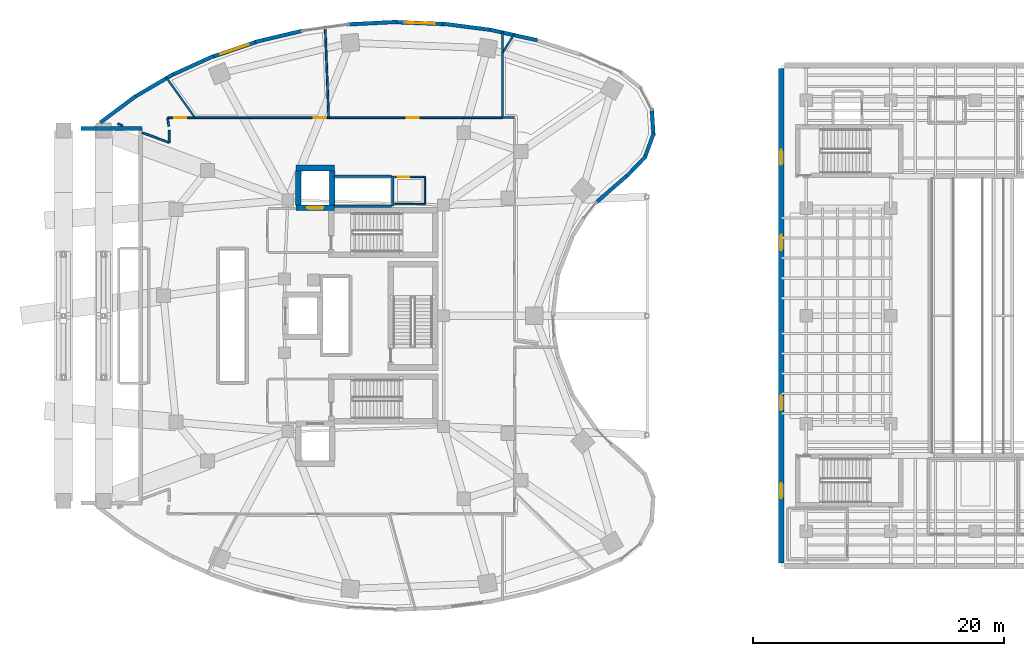
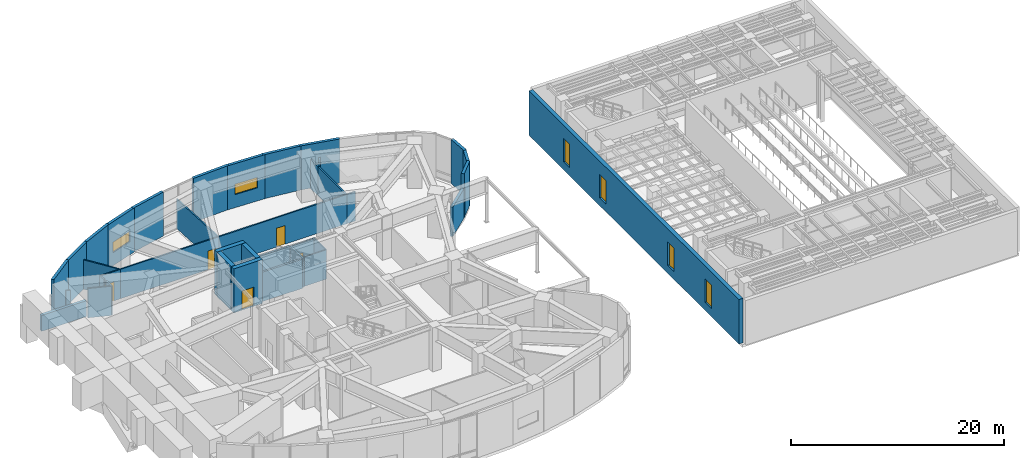
# One storey, part 17 of 23: 38 walls, 6 windows, 5 doors, 11 openings.
"""IFC4 building model written with IfcOpenShell, lengths in metres."""

from ifc_helpers import new_model, si_unit, direction, frame, frame_2d, origin, place, context, subcontext, project, spatial, rectangle, extrude, material, layer, layer_set, type_object, element, fill, save


model = new_model("IFC4")

# Units and contexts
model_context = context("Model", 3, precision=1e-05, world=origin(), true_north=direction((0.0, 1.0)))
body_context = subcontext(model_context, "Body", "Model", "MODEL_VIEW")
ifc_project = project(units=[si_unit("LENGTHUNIT", "METRE"), si_unit("AREAUNIT", "SQUARE_METRE"), si_unit("VOLUMEUNIT", "CUBIC_METRE"), si_unit("PLANEANGLEUNIT", "RADIAN"), si_unit("MASSUNIT", "GRAM", prefix="KILO")], contexts=[model_context])

# Site, building, storey
site_placement = place(None, origin())
site = spatial("IfcSite", under=ifc_project, at=site_placement, CompositionType="ELEMENT")
building_placement = place(site_placement, origin())
building = spatial("IfcBuilding", under=site, at=building_placement, Name="Korentha Bioscience Tower", CompositionType="ELEMENT")
storey_placement = place(building_placement, frame((0.0, 0.0, 15.0)))
storey = spatial("IfcBuildingStorey", under=building, at=storey_placement, Name="L03", CompositionType="ELEMENT", Elevation=15.0)

# Wall, opening, door
ifc_material_1 = material(Name="Double-Stud Acoustic Gypsum", Category="gypsum")
ifc_layer_1 = layer(ifc_material_1, 0.14990234375, Name="Double-Stud Acoustic Gypsum")
ifc_layer_set_1 = layer_set([ifc_layer_1], Name="Double-Stud Acoustic Gypsum (IW-L150)")
wall_type_1 = type_object("IfcWallType", Name="Acoustic Laboratory Partition Wall 150", PredefinedType="PARTITIONING", material=ifc_layer_set_1)
wall_1_placement = place(storey_placement, frame((42.241943359375, 42.81005859375, 0.0), z_axis=(0.0, 0.0, 1.0), x_axis=(-1.0, 0.0, 0.0)))
wall_1 = element("IfcWall", 1, at=wall_1_placement, inside=storey, type_object=wall_type_1, Name="L03 Translational Symposium Lecture Room 07 Entrance Wall", PredefinedType="PARTITIONING", context=body_context, shape_type="SweptSolid", body=[
    extrude(rectangle(XDim=13.873779296875, YDim=0.14990234375, at=frame_2d((6.93701171875, 0.0))), origin(), (0.0, 0.0, 1.0), 3.360107421875),
])
opening_1_placement = place(wall_1_placement, frame((6.6875, 0.0, 0.0)))
opening_1 = element("IfcOpeningElement", 2, at=opening_1_placement, cuts=wall_1, Name="Opening ID-10L", PredefinedType="OPENING", context=body_context, shape_type="SweptSolid", body=[
    extrude(rectangle(XDim=0.949951171875, YDim=2.14990234375, at=frame_2d((0.47509765625, 1.074951171875))), frame((0.0, 0.08984375, 0.0), z_axis=(0.0, -1.0, 0.0), x_axis=(1.0, 0.0, 0.0)), (0.0, 0.0, 1.0), 0.1796875),
])
ifc_material_2 = material(Name="Phenolic Laminate Timber Core", Category="wood")
door_type_1 = type_object("IfcDoorType", Name="Laboratory Single Leaf Door 950x2150 Left", OperationType="SINGLE_SWING_LEFT", PredefinedType="DOOR", material=ifc_material_2)
door_1_placement = place(opening_1_placement, origin())
door_1 = element("IfcDoor", 3, at=door_1_placement, inside=storey, type_object=door_type_1, Name="L03 Translational Symposium Lecture Room 07 Door", OperationType="SINGLE_SWING_LEFT", OverallHeight=2.14990234375, OverallWidth=0.949951171875, PredefinedType="DOOR", context=body_context, shape_type="SweptSolid", body=[
    extrude(rectangle(XDim=0.949951171875, YDim=2.14990234375, at=frame_2d((0.47509765625, 1.074951171875))), frame((0.0, 0.02490234375, 0.0), z_axis=(0.0, -1.0, 0.0), x_axis=(1.0, 0.0, 0.0)), (0.0, 0.0, 1.0), 0.050048828125),
])
fill(opening_1, door_1)

wall_2_placement = place(storey_placement, frame((28.358154296875, 42.81005859375, 0.0), z_axis=(0.0, 0.0, 1.0), x_axis=(-1.0, 0.0, 0.0)))
wall_2 = element("IfcWall", 4, at=wall_2_placement, inside=storey, type_object=wall_type_1, Name="L03 Academic Poster Exhibition Lounge 08 Entrance Wall", PredefinedType="PARTITIONING", context=body_context, shape_type="SweptSolid", body=[
    extrude(rectangle(XDim=10.6591796875, YDim=0.14990234375, at=frame_2d((5.32958984375, 0.0))), origin(), (0.0, 0.0, 1.0), 3.360107421875),
])
opening_2_placement = place(wall_2_placement, frame((0.239990234375, 0.0, 0.0)))
opening_2 = element("IfcOpeningElement", 5, at=opening_2_placement, cuts=wall_2, Name="Opening ID-10R", PredefinedType="OPENING", context=body_context, shape_type="SweptSolid", body=[
    extrude(rectangle(XDim=0.949951171875, YDim=2.14990234375, at=frame_2d((0.47509765625, 1.074951171875))), frame((0.0, 0.08984375, 0.0), z_axis=(0.0, -1.0, 0.0), x_axis=(1.0, 0.0, 0.0)), (0.0, 0.0, 1.0), 0.1796875),
])
door_type_2 = type_object("IfcDoorType", Name="Laboratory Single Leaf Door 950x2150 Right", OperationType="SINGLE_SWING_RIGHT", PredefinedType="DOOR", material=ifc_material_2)
door_2_placement = place(opening_2_placement, origin())
door_2 = element("IfcDoor", 6, at=door_2_placement, inside=storey, type_object=door_type_2, Name="L03 Academic Poster Exhibition Lounge 08 Door", OperationType="SINGLE_SWING_RIGHT", OverallHeight=2.14990234375, OverallWidth=0.949951171875, PredefinedType="DOOR", context=body_context, shape_type="SweptSolid", body=[
    extrude(rectangle(XDim=0.949951171875, YDim=2.14990234375, at=frame_2d((0.47509765625, 1.074951171875))), frame((0.0, 0.02490234375, 0.0), z_axis=(0.0, -1.0, 0.0), x_axis=(1.0, 0.0, 0.0)), (0.0, 0.0, 1.0), 0.050048828125),
])
fill(opening_2, door_2)

wall_3_placement = place(storey_placement, frame((17.6865234375, 42.81005859375, 0.0), z_axis=(0.0, 0.0, 1.0), x_axis=(-1.0, 0.0, 0.0)))
wall_3 = element("IfcWall", 7, at=wall_3_placement, inside=storey, type_object=wall_type_1, Name="L03 Industry Incubator Co-Working Studio 09 Entrance Wall", PredefinedType="PARTITIONING", context=body_context, shape_type="SweptSolid", body=[
    extrude(rectangle(XDim=2.16845703125, YDim=0.14990234375, at=frame_2d((1.084228515625, 0.0))), origin(), (0.0, 0.0, 1.0), 3.360107421875),
])
opening_3_placement = place(wall_3_placement, frame((0.681396484375, 0.0, 0.0)))
opening_3 = element("IfcOpeningElement", 8, at=opening_3_placement, cuts=wall_3, Name="Opening ID-10L", PredefinedType="OPENING", context=body_context, shape_type="SweptSolid", body=[
    extrude(rectangle(XDim=0.949951171875, YDim=2.14990234375, at=frame_2d((0.47509765625, 1.074951171875))), frame((0.0, 0.08984375, 0.0), z_axis=(0.0, -1.0, 0.0), x_axis=(1.0, 0.0, 0.0)), (0.0, 0.0, 1.0), 0.1796875),
])
door_3_placement = place(opening_3_placement, origin())
door_3 = element("IfcDoor", 9, at=door_3_placement, inside=storey, type_object=door_type_1, Name="L03 Industry Incubator Co-Working Studio 09 Door", OperationType="SINGLE_SWING_LEFT", OverallHeight=2.14990234375, OverallWidth=0.949951171875, PredefinedType="DOOR", context=body_context, shape_type="SweptSolid", body=[
    extrude(rectangle(XDim=0.949951171875, YDim=2.14990234375, at=frame_2d((0.47509765625, 1.074951171875))), frame((0.0, 0.02490234375, 0.0), z_axis=(0.0, -1.0, 0.0), x_axis=(1.0, 0.0, 0.0)), (0.0, 0.0, 1.0), 0.050048828125),
])
fill(opening_3, door_3)

# Walls
wall_4_placement = place(storey_placement, frame((42.248046875, 49.732177734375, 0.0), z_axis=(0.0, 0.0, 1.0), x_axis=(0.0, -1.0, 0.0)))
element("IfcWall", 10, at=wall_4_placement, inside=storey, type_object=wall_type_1, Name="L03 Interior Partition 032", PredefinedType="PARTITIONING", context=body_context, shape_type="SweptSolid", body=[
    extrude(rectangle(XDim=1.71923828125, YDim=0.14990234375, at=frame_2d((0.859619140625, 0.0))), origin(), (0.0, 0.0, 1.0), 3.360107421875),
])
wall_5_placement = place(storey_placement, frame((28.3681640625, 42.81005859375, 0.0), z_axis=(0.0, 0.0, 1.0), x_axis=(-0.038361380726, 0.999263931336, 0.0)))
element("IfcWall", 11, at=wall_5_placement, inside=storey, type_object=wall_type_1, Name="L03 Interior Partition 033", PredefinedType="PARTITIONING", context=body_context, shape_type="SweptSolid", body=[
    extrude(rectangle(XDim=7.31884765625, YDim=0.14990234375, at=frame_2d((3.659423828125, 0.0))), origin(), (0.0, 0.0, 1.0), 3.360107421875),
])
wall_6_placement = place(storey_placement, frame((17.698974609375, 42.81005859375, 0.0), z_axis=(0.0, 0.0, 1.0), x_axis=(-0.58074861972, 0.814082944603, 0.0)))
element("IfcWall", 12, at=wall_6_placement, inside=storey, type_object=wall_type_1, Name="L03 Interior Partition 034", PredefinedType="PARTITIONING", context=body_context, shape_type="SweptSolid", body=[
    extrude(rectangle(XDim=4.010498046875, YDim=0.14990234375, at=frame_2d((2.00537109375, 0.0))), origin(), (0.0, 0.0, 1.0), 3.360107421875),
])
wall_7_placement = place(storey_placement, frame((11.921875, 42.18994140625, 0.0), z_axis=(0.0, 0.0, 1.0), x_axis=(-0.939021389009, 0.343858736961, 0.0)))
element("IfcWall", 13, at=wall_7_placement, inside=storey, type_object=wall_type_1, Name="L03 Interior Partition 035", PredefinedType="PARTITIONING", context=body_context, shape_type="SweptSolid", body=[
    extrude(rectangle(XDim=0.416748046875, YDim=0.14990234375, at=frame_2d((0.20849609375, 0.0))), origin(), (0.0, 0.0, 1.0), 3.360107421875),
])
wall_8_placement = place(storey_placement, frame((15.508056640625, 42.798583984375, 0.0), z_axis=(0.0, 0.0, 1.0), x_axis=(0.146882189547, -0.989153993266, 0.0)))
element("IfcWall", 14, at=wall_8_placement, inside=storey, type_object=wall_type_1, Name="L03 Interior Partition 036", PredefinedType="PARTITIONING", context=body_context, shape_type="SweptSolid", body=[
    extrude(rectangle(XDim=0.6630859375, YDim=0.14990234375, at=frame_2d((0.33154296875, 0.0))), origin(), (0.0, 0.0, 1.0), 3.360107421875),
])
wall_9_placement = place(storey_placement, frame((15.6298828125, 41.7998046875, 0.0), z_axis=(0.0, 0.0, 1.0), x_axis=(0.0, -1.0, 0.0)))
element("IfcWall", 15, at=wall_9_placement, inside=storey, type_object=wall_type_1, Name="L03 Interior Partition 037", PredefinedType="PARTITIONING", context=body_context, shape_type="SweptSolid", body=[
    extrude(rectangle(XDim=0.966552734375, YDim=0.14990234375, at=frame_2d((0.4833984375, 0.0))), origin(), (0.0, 0.0, 1.0), 3.360107421875),
])
wall_10_placement = place(storey_placement, frame((15.6298828125, 40.833251953125, 0.0), z_axis=(0.0, 0.0, 1.0), x_axis=(-0.93911273323, 0.343609188302, 0.0)))
element("IfcWall", 16, at=wall_10_placement, inside=storey, type_object=wall_type_1, Name="L03 Interior Partition 038", PredefinedType="PARTITIONING", context=body_context, shape_type="SweptSolid", body=[
    extrude(rectangle(XDim=2.278564453125, YDim=0.14990234375, at=frame_2d((1.13916015625, 0.0))), origin(), (0.0, 0.0, 1.0), 3.360107421875),
])
ifc_material_3 = material(Name="Gypsum-Clad Steel Stud", Category="steel")
ifc_layer_2 = layer(ifc_material_3, 0.159912109375, Name="Gypsum-Clad Steel Stud")
ifc_layer_set_2 = layer_set([ifc_layer_2], Name="Gypsum-Clad Steel Stud (IW-C160)")
wall_type_2 = type_object("IfcWallType", Name="Fire-Rated Corridor Partition Wall 160", PredefinedType="PARTITIONING", material=ifc_layer_set_2)
wall_11_placement = place(storey_placement, frame((42.252197265625, 48.000732421875, 0.0), z_axis=(0.0, 0.0, 1.0), x_axis=(0.534286529928, 0.845303438972, 0.0)))
element("IfcWall", 17, at=wall_11_placement, inside=storey, type_object=wall_type_2, Name="L03 Interior Partition 028", PredefinedType="PARTITIONING", context=body_context, shape_type="SweptSolid", body=[
    extrude(rectangle(XDim=1.783447265625, YDim=0.159912109375, at=frame_2d((0.8916015625, 0.0))), origin(), (0.0, 0.0, 1.0), 3.360107421875),
])
wall_12_placement = place(storey_placement, frame((43.199951171875, 42.81005859375, 0.0), z_axis=(0.0, 0.0, 1.0), x_axis=(-1.0, 0.0, 0.0)))
element("IfcWall", 18, at=wall_12_placement, inside=storey, type_object=wall_type_2, Name="L03 Interior Partition 030", PredefinedType="PARTITIONING", context=body_context, shape_type="SweptSolid", body=[
    extrude(rectangle(XDim=0.947998046875, YDim=0.159912109375, at=frame_2d((0.47412109375, 0.0))), origin(), (0.0, 0.0, 1.0), 3.360107421875),
])
wall_13_placement = place(storey_placement, frame((42.251953125, 42.81005859375, 0.0), z_axis=(0.0, 0.0, 1.0), x_axis=(0.0, 1.0, 0.0)))
element("IfcWall", 19, at=wall_13_placement, inside=storey, type_object=wall_type_2, Name="L03 Interior Partition 031", PredefinedType="PARTITIONING", context=body_context, shape_type="SweptSolid", body=[
    extrude(rectangle(XDim=5.1904296875, YDim=0.159912109375, at=frame_2d((2.59521484375, 0.0))), origin(), (0.0, 0.0, 1.0), 3.360107421875),
])

# Wall, opening, window
ifc_material_4 = material(Name="Honed Limestone Precast Concrete C40", Category="masonry")
ifc_layer_3 = layer(ifc_material_4, 0.300048828125, Name="Honed Limestone Precast Concrete C40")
ifc_layer_set_3 = layer_set([ifc_layer_3], Name="Honed Limestone Precast Concrete C40 (EW-ST300)")
wall_type_3 = type_object("IfcWallType", Name="Honed Limestone Cavity Spandrel Wall 300", PredefinedType="STANDARD", material=ifc_layer_set_3)
wall_14_placement = place(storey_placement, frame((37.623046875, 50.288818359375, 0.0), z_axis=(0.0, 0.0, 1.0), x_axis=(-0.999247008469, 0.038799691558, 0.0)))
wall_14 = element("IfcWall", 20, at=wall_14_placement, inside=storey, type_object=wall_type_3, Name="L03 Honed Limestone Spandrel Wall 05", PredefinedType="STANDARD", context=body_context, shape_type="SweptSolid", body=[
    extrude(rectangle(XDim=3.93896484375, YDim=0.300048828125, at=frame_2d((1.969482421875, 0.0))), origin(), (0.0, 0.0, 1.0), 5.050048828125),
])
opening_4_placement = place(wall_14_placement, frame((0.769287109375, 0.0, 1.5)))
opening_4 = element("IfcOpeningElement", 21, at=opening_4_placement, cuts=wall_14, Name="Opening WN-04", PredefinedType="OPENING", context=body_context, shape_type="SweptSolid", body=[
    extrude(rectangle(XDim=2.39990234375, YDim=1.199951171875, at=frame_2d((1.199951171875, 0.60009765625))), frame((0.0, 0.1650390625, 0.0), z_axis=(0.0, -1.0, 0.0), x_axis=(1.0, 0.0, 0.0)), (0.0, 0.0, 1.0), 0.329833984375),
])
ifc_material_5 = material(Name="Thermally Broken Aluminium Triple Glazing", Category="aluminium")
window_type_1 = type_object("IfcWindowType", Name="Podium Clerestory Ribbon Window 2400x1200", PartitioningType="DOUBLE_PANEL_HORIZONTAL", PredefinedType="WINDOW", material=ifc_material_5)
window_1_placement = place(opening_4_placement, origin())
window_1 = element("IfcWindow", 22, at=window_1_placement, inside=storey, type_object=window_type_1, Name="L03 Facade Window 05", OverallHeight=1.199951171875, OverallWidth=2.39990234375, PartitioningType="DOUBLE_PANEL_HORIZONTAL", PredefinedType="WINDOW", context=body_context, shape_type="SweptSolid", body=[
    extrude(rectangle(XDim=2.39990234375, YDim=1.199951171875, at=frame_2d((1.199951171875, 0.60009765625))), frame((0.0, 0.030029296875, 0.0), z_axis=(0.0, -1.0, 0.0), x_axis=(1.0, 0.0, 0.0)), (0.0, 0.0, 1.0), 0.06005859375),
])
fill(opening_4, window_1)

wall_15_placement = place(storey_placement, frame((22.654541015625, 48.8837890625, 0.0), z_axis=(0.0, 0.0, 1.0), x_axis=(-0.947034337234, -0.321132315564, 0.0)))
wall_15 = element("IfcWall", 23, at=wall_15_placement, inside=storey, type_object=wall_type_3, Name="L03 Honed Limestone Spandrel Wall 09", PredefinedType="STANDARD", context=body_context, shape_type="SweptSolid", body=[
    extrude(rectangle(XDim=3.789794921875, YDim=0.300048828125, at=frame_2d((1.89501953125, 0.0))), origin(), (0.0, 0.0, 1.0), 5.050048828125),
])
opening_5_placement = place(wall_15_placement, frame((0.69482421875, 0.0, 1.5)))
opening_5 = element("IfcOpeningElement", 24, at=opening_5_placement, cuts=wall_15, Name="Opening WN-04", PredefinedType="OPENING", context=body_context, shape_type="SweptSolid", body=[
    extrude(rectangle(XDim=2.39990234375, YDim=1.199951171875, at=frame_2d((1.199951171875, 0.60009765625))), frame((0.0, 0.1650390625, 0.0), z_axis=(0.0, -1.0, 0.0), x_axis=(1.0, 0.0, 0.0)), (0.0, 0.0, 1.0), 0.329833984375),
])
window_2_placement = place(opening_5_placement, origin())
window_2 = element("IfcWindow", 25, at=window_2_placement, inside=storey, type_object=window_type_1, Name="L03 Facade Window 09", OverallHeight=1.199951171875, OverallWidth=2.39990234375, PartitioningType="DOUBLE_PANEL_HORIZONTAL", PredefinedType="WINDOW", context=body_context, shape_type="SweptSolid", body=[
    extrude(rectangle(XDim=2.39990234375, YDim=1.199951171875, at=frame_2d((1.199951171875, 0.60009765625))), frame((0.0, 0.030029296875, 0.0), z_axis=(0.0, -1.0, 0.0), x_axis=(1.0, 0.0, 0.0)), (0.0, 0.0, 1.0), 0.06005859375),
])
fill(opening_5, window_2)

# Walls
wall_16_placement = place(storey_placement, frame((45.03955078125, 48.9912109375, 0.0), z_axis=(0.0, 0.0, 1.0), x_axis=(-0.975868573345, 0.218358713032, 0.0)))
element("IfcWall", 26, at=wall_16_placement, inside=storey, type_object=wall_type_3, Name="L03 Limestone Perimeter Closure Wall 03", PredefinedType="STANDARD", context=body_context, shape_type="SweptSolid", body=[
    extrude(rectangle(XDim=3.90869140625, YDim=0.300048828125, at=frame_2d((1.954345703125, 0.0))), origin(), (0.0, 0.0, 1.0), 5.050048828125),
])
wall_17_placement = place(storey_placement, frame((41.39501953125, 49.814697265625, 0.0), z_axis=(0.0, 0.0, 1.0), x_axis=(-0.991734095036, 0.128310111617, 0.0)))
element("IfcWall", 27, at=wall_17_placement, inside=storey, type_object=wall_type_3, Name="L03 Limestone Perimeter Closure Wall 04", PredefinedType="STANDARD", context=body_context, shape_type="SweptSolid", body=[
    extrude(rectangle(XDim=3.955810546875, YDim=0.300048828125, at=frame_2d((1.97802734375, 0.0))), origin(), (0.0, 0.0, 1.0), 5.050048828125),
])
wall_18_placement = place(storey_placement, frame((33.84033203125, 50.46337890625, 0.0), z_axis=(0.0, 0.0, 1.0), x_axis=(-0.998732359232, -0.050335619826, 0.0)))
element("IfcWall", 28, at=wall_18_placement, inside=storey, type_object=wall_type_3, Name="L03 Limestone Perimeter Closure Wall 06", PredefinedType="STANDARD", context=body_context, shape_type="SweptSolid", body=[
    extrude(rectangle(XDim=3.977294921875, YDim=0.300048828125, at=frame_2d((1.98876953125, 0.0))), origin(), (0.0, 0.0, 1.0), 5.050048828125),
])
wall_19_placement = place(storey_placement, frame((26.29736328125, 49.7587890625, 0.0), z_axis=(0.0, 0.0, 1.0), x_axis=(-0.973197600754, -0.229970497863, 0.0)))
element("IfcWall", 29, at=wall_19_placement, inside=storey, type_object=wall_type_3, Name="L03 Limestone Perimeter Closure Wall 08", PredefinedType="STANDARD", context=body_context, shape_type="SweptSolid", body=[
    extrude(rectangle(XDim=3.9013671875, YDim=0.300048828125, at=frame_2d((1.95068359375, 0.0))), origin(), (0.0, 0.0, 1.0), 5.050048828125),
])
wall_20_placement = place(storey_placement, frame((19.201416015625, 47.7431640625, 0.0), z_axis=(0.0, 0.0, 1.0), x_axis=(-0.910623406862, -0.413237233166, 0.0)))
element("IfcWall", 30, at=wall_20_placement, inside=storey, type_object=wall_type_3, Name="L03 Limestone Perimeter Closure Wall 10", PredefinedType="STANDARD", context=body_context, shape_type="SweptSolid", body=[
    extrude(rectangle(XDim=3.73974609375, YDim=0.300048828125, at=frame_2d((1.869873046875, 0.0))), origin(), (0.0, 0.0, 1.0), 5.050048828125),
])
wall_21_placement = place(storey_placement, frame((15.95068359375, 46.27783203125, 0.0), z_axis=(0.0, 0.0, 1.0), x_axis=(-0.8624654944, -0.506115867139, 0.0)))
element("IfcWall", 31, at=wall_21_placement, inside=storey, type_object=wall_type_3, Name="L03 Limestone Perimeter Closure Wall 11", PredefinedType="STANDARD", context=body_context, shape_type="SweptSolid", body=[
    extrude(rectangle(XDim=3.63525390625, YDim=0.300048828125, at=frame_2d((1.817626953125, 0.0))), origin(), (0.0, 0.0, 1.0), 5.050048828125),
])
wall_22_placement = place(storey_placement, frame((12.96142578125, 44.53515625, 0.0), z_axis=(0.0, 0.0, 1.0), x_axis=(-0.800823020995, -0.598901067827, 0.0)))
element("IfcWall", 32, at=wall_22_placement, inside=storey, type_object=wall_type_3, Name="L03 Limestone Perimeter Closure Wall 12", PredefinedType="STANDARD", context=body_context, shape_type="SweptSolid", body=[
    extrude(rectangle(XDim=3.520751953125, YDim=0.300048828125, at=frame_2d((1.76025390625, 0.0))), origin(), (0.0, 0.0, 1.0), 5.050048828125),
])
wall_23_placement = place(storey_placement, frame((49.708984375, 36.029296875, 0.0), z_axis=(0.0, 0.0, 1.0), x_axis=(0.754746490246, 0.656016566454, 0.0)))
element("IfcWall", 33, at=wall_23_placement, inside=storey, type_object=wall_type_3, Name="L03 Limestone Perimeter Closure Wall 56", PredefinedType="STANDARD", context=body_context, shape_type="SweptSolid", body=[
    extrude(rectangle(XDim=3.4296875, YDim=0.300048828125, at=frame_2d((1.71484375, 0.0))), origin(), (0.0, 0.0, 1.0), 3.375),
])
wall_24_placement = place(storey_placement, frame((52.1728515625, 38.1611328125, 0.0), z_axis=(0.0, 0.0, 1.0), x_axis=(0.695404695719, 0.718618333451, 0.0)))
element("IfcWall", 34, at=wall_24_placement, inside=storey, type_object=wall_type_3, Name="L03 Limestone Perimeter Closure Wall 58", PredefinedType="STANDARD", context=body_context, shape_type="SweptSolid", body=[
    extrude(rectangle(XDim=2.1875, YDim=0.300048828125, at=frame_2d((1.09375, 0.0))), origin(), (0.0, 0.0, 1.0), 5.050048828125),
])
for number, where, z_axis, x_axis, name in (
    (35, (53.580078125, 39.551513671875, 0.0), (0.0, 0.0, 1.0), (0.344939866054, 0.938624785954, 0.0), "L03 Limestone Perimeter Closure Wall 59"),
    (36, (54.303955078125, 41.392578125, 0.0), (0.0, 0.0, 1.0), (-0.064615302336, 0.99791024782, 0.0), "L03 Limestone Perimeter Closure Wall 60"),
):
    element("IfcWall", number, at=place(storey_placement, frame(where, z_axis=z_axis, x_axis=x_axis)), inside=storey, type_object=wall_type_3, Name=name, PredefinedType="STANDARD", context=body_context, shape_type="SweptSolid", body=[
        extrude(rectangle(XDim=2.187744140625, YDim=0.300048828125, at=frame_2d((1.09375, 0.0))), origin(), (0.0, 0.0, 1.0), 5.050048828125),
    ])
wall_25_placement = place(storey_placement, frame((8.60009765625, 41.949951171875, 0.0), z_axis=(0.0, 0.0, 1.0), x_axis=(1.0, 0.0, 0.0)))
element("IfcWall", 37, at=wall_25_placement, inside=storey, type_object=wall_type_3, Name="L03 Arch Plaza Recess North Cheek Wall", PredefinedType="STANDARD", context=body_context, shape_type="SweptSolid", body=[
    extrude(rectangle(XDim=4.849853515625, YDim=0.300048828125, at=frame_2d((2.4248046875, 0.0))), origin(), (0.0, 0.0, 1.0), 1.824951171875),
])
ifc_material_6 = material(Name="Autoclaved Aerated Concrete Block C25", Category="concrete")
ifc_layer_4 = layer(ifc_material_6, 0.199951171875, Name="Autoclaved Aerated Concrete Block C25")
ifc_layer_set_4 = layer_set([ifc_layer_4], Name="Autoclaved Aerated Concrete Block C25 (IW-S200)")
wall_type_4 = type_object("IfcWallType", Name="Lift and Riser Shaft Enclosure Wall 200", PredefinedType="PARTITIONING", material=ifc_layer_set_4)
wall_26_placement = place(storey_placement, frame((33.489990234375, 35.760009765625, 0.0), z_axis=(0.0, 0.0, 1.0), x_axis=(0.0, 1.0, 0.0)))
element("IfcWall", 38, at=wall_26_placement, inside=storey, type_object=wall_type_4, Name="L03 Lift Bank OBS Shaft Wall +X", PredefinedType="PARTITIONING", context=body_context, shape_type="SweptSolid", body=[
    extrude(rectangle(XDim=2.3798828125, YDim=0.199951171875, at=frame_2d((1.18994140625, 0.0))), origin(), (0.0, 0.0, 1.0), 3.360107421875),
])
for number, where, z_axis, x_axis, name in (
    (39, (28.800048828125, 35.760009765625, 0.0), (0.0, 0.0, 1.0), (1.0, 0.0, 0.0), "L03 Lift Bank OBS Shaft Wall -Y"),
    (40, (28.800048828125, 38.139892578125, 0.0), (0.0, 0.0, 1.0), (1.0, 0.0, 0.0), "L03 Lift Bank OBS Shaft Wall +Y"),
):
    element("IfcWall", number, at=place(storey_placement, frame(where, z_axis=z_axis, x_axis=x_axis)), inside=storey, type_object=wall_type_4, Name=name, PredefinedType="PARTITIONING", context=body_context, shape_type="SweptSolid", body=[
        extrude(rectangle(XDim=4.570068359375, YDim=0.199951171875, at=frame_2d((2.28515625, 0.0))), origin(), (0.0, 0.0, 1.0), 3.360107421875),
    ])
ifc_material_7 = material(Name="Concrete C80", Category="concrete")
ifc_layer_5 = layer(ifc_material_7, 0.449951171875, Name="Concrete C80")
ifc_layer_set_5 = layer_set([ifc_layer_5], Name="Concrete C80 (CW-C80)")
wall_type_5 = type_object("IfcWallType", Name="Lower Core Shear Wall 450", PredefinedType="SHEAR", material=ifc_layer_set_5)
wall_27_placement = place(storey_placement, frame((25.75, 38.800048828125, 0.0), z_axis=(0.0, 0.0, 1.0), x_axis=(1.0, 0.0, 0.0)))
element("IfcWall", 41, at=wall_27_placement, inside=storey, type_object=wall_type_5, Name="L03 Core Shear Wall FFL2-N", PredefinedType="SHEAR", context=body_context, shape_type="SweptSolid", body=[
    extrude(rectangle(XDim=3.10009765625, YDim=0.449951171875, at=frame_2d((1.550048828125, 0.0))), origin(), (0.0, 0.0, 1.0), 5.050048828125),
])

# Wall, opening, door
wall_28_placement = place(storey_placement, frame((25.75, 35.6201171875, 0.0), z_axis=(0.0, 0.0, 1.0), x_axis=(1.0, 0.0, 0.0)))
wall_28 = element("IfcWall", 42, at=wall_28_placement, inside=storey, type_object=wall_type_5, Name="L03 Core Shear Wall FFL2-S", PredefinedType="SHEAR", context=body_context, shape_type="SweptSolid", body=[
    extrude(rectangle(XDim=3.10009765625, YDim=0.449951171875, at=frame_2d((1.550048828125, 0.0))), origin(), (0.0, 0.0, 1.0), 5.050048828125),
])
opening_6_placement = place(wall_28_placement, frame((0.89990234375, 0.0, 0.0)))
opening_6 = element("IfcOpeningElement", 43, at=opening_6_placement, cuts=wall_28, Name="Opening LD-13", PredefinedType="OPENING", context=body_context, shape_type="SweptSolid", body=[
    extrude(rectangle(XDim=1.300048828125, YDim=2.199951171875, at=frame_2d((0.64990234375, 1.10009765625))), frame((0.0, 0.23974609375, 0.0), z_axis=(0.0, -1.0, 0.0), x_axis=(1.0, 0.0, 0.0)), (0.0, 0.0, 1.0), 0.479736328125),
])
ifc_material_8 = material(Name="Brushed Stainless Steel 316", Category="steel")
door_type_3 = type_object("IfcDoorType", Name="Service & Firefighting Lift Landing Door 1300x2300", OperationType="DOUBLE_DOOR_SLIDING", PredefinedType="DOOR", material=ifc_material_8)
door_4_placement = place(opening_6_placement, origin())
door_4 = element("IfcDoor", 44, at=door_4_placement, inside=storey, type_object=door_type_3, Name="L03 FFL-2 Sliding Lift Landing Door", OperationType="DOUBLE_DOOR_SLIDING", OverallHeight=2.199951171875, OverallWidth=1.300048828125, PredefinedType="DOOR", context=body_context, shape_type="SweptSolid", body=[
    extrude(rectangle(XDim=1.300048828125, YDim=2.199951171875, at=frame_2d((0.64990234375, 1.10009765625))), frame((0.0, 0.02490234375, 0.0), z_axis=(0.0, -1.0, 0.0), x_axis=(1.0, 0.0, 0.0)), (0.0, 0.0, 1.0), 0.050048828125),
])
fill(opening_6, door_4)

# Walls
for number, where, z_axis, x_axis, name in (
    (45, (25.949951171875, 35.860107421875, 0.0), (0.0, 0.0, 1.0), (0.0, 1.0, 0.0), "L03 Core Shear Wall FFL2-W"),
    (46, (28.64990234375, 35.860107421875, 0.0), (0.0, 0.0, 1.0), (0.0, 1.0, 0.0), "L03 Core Shear Wall FFL2-E"),
):
    element("IfcWall", number, at=place(storey_placement, frame(where, z_axis=z_axis, x_axis=x_axis)), inside=storey, type_object=wall_type_5, Name=name, PredefinedType="SHEAR", context=body_context, shape_type="SweptSolid", body=[
        extrude(rectangle(XDim=2.699951171875, YDim=0.449951171875, at=frame_2d((1.35009765625, 0.0))), origin(), (0.0, 0.0, 1.0), 5.050048828125),
    ])

# Wall, openings, windows
ifc_material_9 = material(Name="Concrete C50", Category="concrete")
ifc_layer_6 = layer(ifc_material_9, 0.419921875, Name="Concrete C50")
ifc_layer_set_6 = layer_set([ifc_layer_6], Name="Concrete C50 (TW-E420)")
wall_type_6 = type_object("IfcWallType", Name="Theatre Acoustic Shear Wall 420", PredefinedType="SHEAR", material=ifc_layer_set_6)
wall_29_placement = place(storey_placement, frame((64.5, 7.25, 0.0), z_axis=(0.0, 0.0, 1.0), x_axis=(0.0, 1.0, 0.0)))
wall_29 = element("IfcWall", 47, at=wall_29_placement, inside=storey, type_object=wall_type_6, Name="L03 Theatre Acoustic Shear Wall W", PredefinedType="SHEAR", context=body_context, shape_type="SweptSolid", body=[
    extrude(rectangle(XDim=39.5, YDim=0.419921875, at=frame_2d((19.75, 0.0))), origin(), (0.0, 0.0, 1.0), 5.10009765625),
])
opening_7_placement = place(wall_29_placement, frame((5.199951171875, 0.0, 0.89990234375)))
opening_7 = element("IfcOpeningElement", 48, at=opening_7_placement, cuts=wall_29, Name="Opening WN-03", PredefinedType="OPENING", context=body_context, shape_type="SweptSolid", body=[
    extrude(rectangle(XDim=1.199951171875, YDim=2.699951171875, at=frame_2d((0.60009765625, 1.35009765625))), frame((0.0, 0.224853515625, 0.0), z_axis=(0.0, -1.0, 0.0), x_axis=(1.0, 0.0, 0.0)), (0.0, 0.0, 1.0), 0.44970703125),
])
opening_8_placement = place(wall_29_placement, frame((12.199951171875, 0.0, 0.89990234375)))
opening_8 = element("IfcOpeningElement", 49, at=opening_8_placement, cuts=wall_29, Name="Opening WN-03", PredefinedType="OPENING", context=body_context, shape_type="SweptSolid", body=[
    extrude(rectangle(XDim=1.199951171875, YDim=2.699951171875, at=frame_2d((0.60009765625, 1.35009765625))), frame((0.0, 0.224853515625, 0.0), z_axis=(0.0, -1.0, 0.0), x_axis=(1.0, 0.0, 0.0)), (0.0, 0.0, 1.0), 0.44970703125),
])
opening_9_placement = place(wall_29_placement, frame((25.0, 0.0, 0.89990234375)))
opening_9 = element("IfcOpeningElement", 50, at=opening_9_placement, cuts=wall_29, Name="Opening WN-03", PredefinedType="OPENING", context=body_context, shape_type="SweptSolid", body=[
    extrude(rectangle(XDim=1.199951171875, YDim=2.699951171875, at=frame_2d((0.60009765625, 1.35009765625))), frame((0.0, 0.224853515625, 0.0), z_axis=(0.0, -1.0, 0.0), x_axis=(1.0, 0.0, 0.0)), (0.0, 0.0, 1.0), 0.44970703125),
])
opening_10_placement = place(wall_29_placement, frame((31.800048828125, 0.0, 0.89990234375)))
opening_10 = element("IfcOpeningElement", 51, at=opening_10_placement, cuts=wall_29, Name="Opening WN-03", PredefinedType="OPENING", context=body_context, shape_type="SweptSolid", body=[
    extrude(rectangle(XDim=1.199951171875, YDim=2.699951171875, at=frame_2d((0.60009765625, 1.35009765625))), frame((0.0, 0.224853515625, 0.0), z_axis=(0.0, -1.0, 0.0), x_axis=(1.0, 0.0, 0.0)), (0.0, 0.0, 1.0), 0.44970703125),
])
window_type_2 = type_object("IfcWindowType", Name="Theatre Foyer Tall Ribbon Window 1200x2700", PartitioningType="SINGLE_PANEL", PredefinedType="WINDOW", material=ifc_material_5)
window_3_placement = place(opening_7_placement, origin())
window_3 = element("IfcWindow", 52, at=window_3_placement, inside=storey, type_object=window_type_2, Name="L03 Theatre West Foyer Window 1", OverallHeight=2.699951171875, OverallWidth=1.199951171875, PartitioningType="SINGLE_PANEL", PredefinedType="WINDOW", context=body_context, shape_type="SweptSolid", body=[
    extrude(rectangle(XDim=1.199951171875, YDim=2.699951171875, at=frame_2d((0.60009765625, 1.35009765625))), frame((0.0, 0.030029296875, 0.0), z_axis=(0.0, -1.0, 0.0), x_axis=(1.0, 0.0, 0.0)), (0.0, 0.0, 1.0), 0.06005859375),
])
fill(opening_7, window_3)
window_4_placement = place(opening_8_placement, origin())
window_4 = element("IfcWindow", 53, at=window_4_placement, inside=storey, type_object=window_type_2, Name="L03 Theatre West Foyer Window 2", OverallHeight=2.699951171875, OverallWidth=1.199951171875, PartitioningType="SINGLE_PANEL", PredefinedType="WINDOW", context=body_context, shape_type="SweptSolid", body=[
    extrude(rectangle(XDim=1.199951171875, YDim=2.699951171875, at=frame_2d((0.60009765625, 1.35009765625))), frame((0.0, 0.030029296875, 0.0), z_axis=(0.0, -1.0, 0.0), x_axis=(1.0, 0.0, 0.0)), (0.0, 0.0, 1.0), 0.06005859375),
])
fill(opening_8, window_4)
window_5_placement = place(opening_9_placement, origin())
window_5 = element("IfcWindow", 54, at=window_5_placement, inside=storey, type_object=window_type_2, Name="L03 Theatre West Foyer Window 3", OverallHeight=2.699951171875, OverallWidth=1.199951171875, PartitioningType="SINGLE_PANEL", PredefinedType="WINDOW", context=body_context, shape_type="SweptSolid", body=[
    extrude(rectangle(XDim=1.199951171875, YDim=2.699951171875, at=frame_2d((0.60009765625, 1.35009765625))), frame((0.0, 0.030029296875, 0.0), z_axis=(0.0, -1.0, 0.0), x_axis=(1.0, 0.0, 0.0)), (0.0, 0.0, 1.0), 0.06005859375),
])
fill(opening_9, window_5)
window_6_placement = place(opening_10_placement, origin())
window_6 = element("IfcWindow", 55, at=window_6_placement, inside=storey, type_object=window_type_2, Name="L03 Theatre West Foyer Window 4", OverallHeight=2.699951171875, OverallWidth=1.199951171875, PartitioningType="SINGLE_PANEL", PredefinedType="WINDOW", context=body_context, shape_type="SweptSolid", body=[
    extrude(rectangle(XDim=1.199951171875, YDim=2.699951171875, at=frame_2d((0.60009765625, 1.35009765625))), frame((0.0, 0.030029296875, 0.0), z_axis=(0.0, -1.0, 0.0), x_axis=(1.0, 0.0, 0.0)), (0.0, 0.0, 1.0), 0.06005859375),
])
fill(opening_10, window_6)

# Wall, opening, door
ifc_material_10 = material(Name="Cement-Board Steel Stud", Category="steel")
ifc_layer_7 = layer(ifc_material_10, 0.1298828125, Name="Cement-Board Steel Stud")
ifc_layer_set_7 = layer_set([ifc_layer_7], Name="Cement-Board Steel Stud (IW-W130)")
wall_type_7 = type_object("IfcWallType", Name="Wet-Area Moisture-Resistant Partition 130", PredefinedType="PARTITIONING", material=ifc_layer_set_7)
wall_30_placement = place(storey_placement, frame((33.64990234375, 38.090087890625, 0.0), z_axis=(0.0, 0.0, 1.0), x_axis=(1.0, 0.0, 0.0)))
wall_30 = element("IfcWall", 56, at=wall_30_placement, inside=storey, type_object=wall_type_7, Name="L03 Accessible Staff WC Entrance Wall", PredefinedType="PARTITIONING", context=body_context, shape_type="SweptSolid", body=[
    extrude(rectangle(XDim=2.400146484375, YDim=0.1298828125, at=frame_2d((1.2001953125, 0.0))), origin(), (0.0, 0.0, 1.0), 3.360107421875),
])
opening_11_placement = place(wall_30_placement, frame((0.239990234375, 0.0, 0.0)))
opening_11 = element("IfcOpeningElement", 57, at=opening_11_placement, cuts=wall_30, Name="Opening ID-09R", PredefinedType="OPENING", context=body_context, shape_type="SweptSolid", body=[
    extrude(rectangle(XDim=0.89990234375, YDim=2.14990234375, at=frame_2d((0.449951171875, 1.074951171875))), frame((0.0, 0.079833984375, 0.0), z_axis=(0.0, -1.0, 0.0), x_axis=(1.0, 0.0, 0.0)), (0.0, 0.0, 1.0), 0.15966796875),
])
ifc_material_11 = material(Name="Moisture-Resistant HPL Leaf", Category="wood")
door_type_4 = type_object("IfcDoorType", Name="Restroom & Accessible WC Door 900x2150 Right", OperationType="SINGLE_SWING_RIGHT", PredefinedType="DOOR", material=ifc_material_11)
door_5_placement = place(opening_11_placement, origin())
door_5 = element("IfcDoor", 58, at=door_5_placement, inside=storey, type_object=door_type_4, Name="L03 Accessible Staff WC Door", OperationType="SINGLE_SWING_RIGHT", OverallHeight=2.14990234375, OverallWidth=0.89990234375, PredefinedType="DOOR", context=body_context, shape_type="SweptSolid", body=[
    extrude(rectangle(XDim=0.89990234375, YDim=2.14990234375, at=frame_2d((0.449951171875, 1.074951171875))), frame((0.0, 0.02490234375, 0.0), z_axis=(0.0, -1.0, 0.0), x_axis=(1.0, 0.0, 0.0)), (0.0, 0.0, 1.0), 0.050048828125),
])
fill(opening_11, door_5)

# Walls
wall_31_placement = place(storey_placement, frame((36.050048828125, 35.909912109375, 0.0), z_axis=(0.0, 0.0, 1.0), x_axis=(-1.0, 0.0, 0.0)))
element("IfcWall", 59, at=wall_31_placement, inside=storey, type_object=wall_type_7, Name="L03 Interior Partition 016", PredefinedType="PARTITIONING", context=body_context, shape_type="SweptSolid", body=[
    extrude(rectangle(XDim=2.400146484375, YDim=0.1298828125, at=frame_2d((1.2001953125, 0.0))), origin(), (0.0, 0.0, 1.0), 3.360107421875),
])
wall_32_placement = place(storey_placement, frame((36.050048828125, 38.090087890625, 0.0), z_axis=(0.0, 0.0, 1.0), x_axis=(0.0, -1.0, 0.0)))
element("IfcWall", 60, at=wall_32_placement, inside=storey, type_object=wall_type_7, Name="L03 Interior Partition 017", PredefinedType="PARTITIONING", context=body_context, shape_type="SweptSolid", body=[
    extrude(rectangle(XDim=2.18017578125, YDim=0.1298828125, at=frame_2d((1.090087890625, 0.0))), origin(), (0.0, 0.0, 1.0), 3.360107421875),
])

save(model, "model.ifc")
